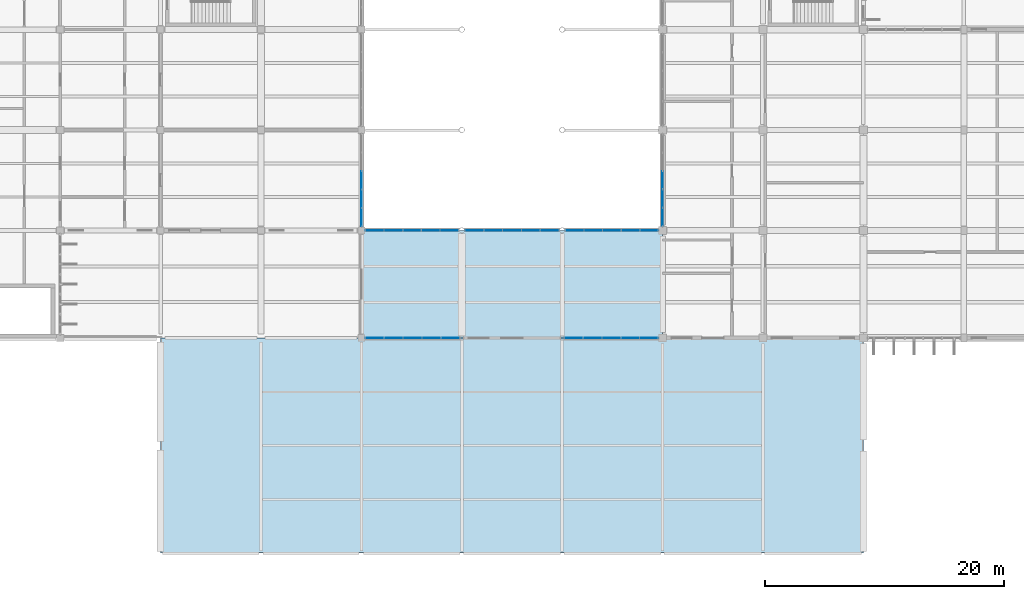
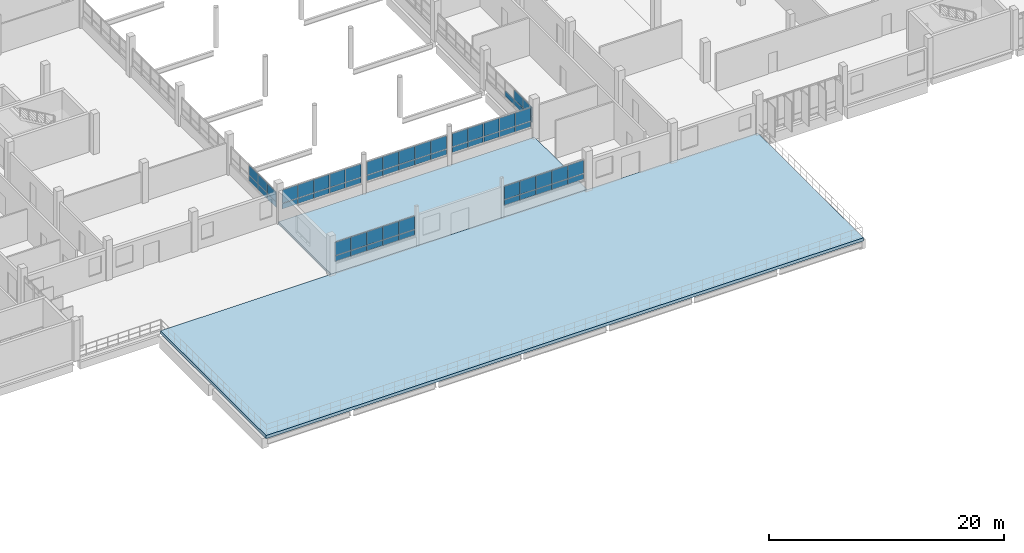
# One storey, part 73 of 101: 61 plates, 2 slabs, 7 elements without a shape of their own.
"""IFC4 building model written with IfcOpenShell, lengths in metres."""

from ifc_helpers import new_model, si_unit, direction, frame, origin, origin_2d, place, context, subcontext, project, spatial, polyline, rectangle, outline, extrude, material, layer, layer_set, type_object, element, aggregate, save


model = new_model("IFC4")

# Units and contexts
model_context = context("Model", 3, precision=1e-05, world=origin(), true_north=direction((0.0, 1.0)))
body_context = subcontext(model_context, "Body", "Model", "MODEL_VIEW")
ifc_project = project(units=[si_unit("LENGTHUNIT", "METRE"), si_unit("AREAUNIT", "SQUARE_METRE"), si_unit("VOLUMEUNIT", "CUBIC_METRE"), si_unit("PLANEANGLEUNIT", "RADIAN"), si_unit("MASSUNIT", "GRAM", prefix="KILO")], contexts=[model_context])

# Site, building, storey
site_placement = place(None, origin())
site = spatial("IfcSite", under=ifc_project, at=site_placement, CompositionType="ELEMENT")
building_placement = place(site_placement, origin())
building = spatial("IfcBuilding", under=site, at=building_placement, Name="Vireocrest Preparatory School", CompositionType="ELEMENT")
storey_placement = place(building_placement, frame((0.0, 0.0, 4.800048828125)))
storey = spatial("IfcBuildingStorey", under=building, at=storey_placement, Name="L01", CompositionType="ELEMENT", Elevation=4.800048828125)

# Slabs
ifc_material_1 = material(Name="Concrete 40 MPa", Category="concrete")
ifc_layer_1 = layer(ifc_material_1, 0.280029296875)
ifc_layer_set_1 = layer_set([ifc_layer_1], Name="Concrete 40 MPa")
slab_type_1 = type_object("IfcSlabType", Name="Commons and Corridor Suspended RC Slab 280", PredefinedType="FLOOR", material=ifc_layer_set_1)
slab_1_placement = place(storey_placement, frame((0.0, 0.0, -0.280029296875)))
element("IfcSlab", 1, at=slab_1_placement, inside=storey, type_object=slab_type_1, Name="Slab L01_SOUTH_BRIDGE", PredefinedType="FLOOR", context=body_context, shape_type="SweptSolid", body=[
    extrude(outline(polyline([(67.199951171875, 18.0), (92.39990234375, 18.0), (92.39990234375, 27.0), (67.199951171875, 27.0), (67.199951171875, 18.0)])), origin(), (0.0, 0.0, 1.0), 0.280029296875),
])
ifc_layer_2 = layer(ifc_material_1, 0.320068359375)
ifc_layer_set_2 = layer_set([ifc_layer_2], Name="Concrete 40 MPa")
slab_type_2 = type_object("IfcSlabType", Name="Outdoor Play Deck and Terrace Structural Slab 320", PredefinedType="FLOOR", material=ifc_layer_set_2)
slab_2_placement = place(storey_placement, frame((0.0, 0.0, -0.320068359375)))
element("IfcSlab", 2, at=slab_2_placement, inside=storey, type_object=slab_type_2, Name="Slab L01_PLAY_DECK", PredefinedType="FLOOR", context=body_context, shape_type="SweptSolid", body=[
    extrude(outline(polyline([(50.39990234375, 0.0), (109.199951171875, 0.0), (109.199951171875, 18.0), (50.39990234375, 18.0), (50.39990234375, 0.0)])), origin(), (0.0, 0.0, 1.0), 0.320068359375),
])

# Curtain wall, plates
ifc_material_2 = material(Name="Thermally broken aluminium EN AW-6063-T6", Category="aluminium")
ifc_layer_3 = layer(ifc_material_2, 0.179931640625)
ifc_layer_set_3 = layer_set([ifc_layer_3], Name="Thermally broken aluminium EN AW-6063-T6")
curtain_wall_type_1 = type_object("IfcCurtainWallType", Name="Court Banded Curtain Wall 8400x3600", PredefinedType="USERDEFINED", material=ifc_layer_set_3)
curtain_wall_1_placement = place(storey_placement, origin())
curtain_wall_1 = element("IfcCurtainWall", 3, at=curtain_wall_1_placement, inside=storey, type_object=curtain_wall_type_1, Name="Curtain Wall CW01 CW_L01_CW01_0675_0180_059", ObjectType="CURTAIN WALL", PredefinedType="USERDEFINED")
ifc_material_3 = material(Name="Insulated triple low-e tempered safety glass", Category="glass")
ifc_layer_4 = layer(ifc_material_3, 0.06005859375)
ifc_layer_set_4 = layer_set([ifc_layer_4], Name="Insulated triple low-e tempered safety glass")
plate_type = type_object("IfcPlateType", Name="Triple-Glazed Vision Curtain Panel 60", PredefinedType="CURTAIN_PANEL", material=ifc_layer_set_4)
plate_1_placement = place(storey_placement, frame((68.32275390625, 18.0, 1.2275390625), z_axis=(0.0, 0.0, 1.0), x_axis=(1.0, 0.0, 0.0)))
plate_1 = element("IfcPlate", 4, at=plate_1_placement, type_object=plate_type, Name="CW Panel GL1 CW_L01_CW01_0675_0180_059-1-1", PredefinedType="CURTAIN_PANEL", context=body_context, shape_type="SweptSolid", body=[
    extrude(rectangle(XDim=1.510498046875, YDim=0.06005859375, at=origin_2d()), origin(), (0.0, 0.0, 1.0), 0.5400390625),
])
plate_2_placement = place(storey_placement, frame((68.32275390625, 18.0, 1.83251953125), z_axis=(0.0, 0.0, 1.0), x_axis=(1.0, 0.0, 0.0)))
plate_2 = element("IfcPlate", 5, at=plate_2_placement, type_object=plate_type, Name="CW Panel GL1 CW_L01_CW01_0675_0180_059-1-2", PredefinedType="CURTAIN_PANEL", context=body_context, shape_type="SweptSolid", body=[
    extrude(rectangle(XDim=1.510498046875, YDim=0.06005859375, at=origin_2d()), origin(), (0.0, 0.0, 1.0), 1.35595703125),
])
plate_3_placement = place(storey_placement, frame((69.898193359375, 18.0, 1.2275390625), z_axis=(0.0, 0.0, 1.0), x_axis=(1.0, 0.0, 0.0)))
plate_3 = element("IfcPlate", 6, at=plate_3_placement, type_object=plate_type, Name="CW Panel GL1 CW_L01_CW01_0675_0180_059-2-1", PredefinedType="CURTAIN_PANEL", context=body_context, shape_type="SweptSolid", body=[
    extrude(rectangle(XDim=1.510498046875, YDim=0.06005859375, at=origin_2d()), origin(), (0.0, 0.0, 1.0), 0.5400390625),
])
plate_4_placement = place(storey_placement, frame((69.898193359375, 18.0, 1.83251953125), z_axis=(0.0, 0.0, 1.0), x_axis=(1.0, 0.0, 0.0)))
plate_4 = element("IfcPlate", 7, at=plate_4_placement, type_object=plate_type, Name="CW Panel GL1 CW_L01_CW01_0675_0180_059-2-2", PredefinedType="CURTAIN_PANEL", context=body_context, shape_type="SweptSolid", body=[
    extrude(rectangle(XDim=1.510498046875, YDim=0.06005859375, at=origin_2d()), origin(), (0.0, 0.0, 1.0), 1.35595703125),
])
plate_5_placement = place(storey_placement, frame((71.473876953125, 18.0, 1.2275390625), z_axis=(0.0, 0.0, 1.0), x_axis=(1.0, 0.0, 0.0)))
plate_5 = element("IfcPlate", 8, at=plate_5_placement, type_object=plate_type, Name="CW Panel GL1 CW_L01_CW01_0675_0180_059-3-1", PredefinedType="CURTAIN_PANEL", context=body_context, shape_type="SweptSolid", body=[
    extrude(rectangle(XDim=1.510498046875, YDim=0.06005859375, at=origin_2d()), origin(), (0.0, 0.0, 1.0), 0.5400390625),
])
plate_6_placement = place(storey_placement, frame((71.473876953125, 18.0, 1.83251953125), z_axis=(0.0, 0.0, 1.0), x_axis=(1.0, 0.0, 0.0)))
plate_6 = element("IfcPlate", 9, at=plate_6_placement, type_object=plate_type, Name="CW Panel GL1 CW_L01_CW01_0675_0180_059-3-2", PredefinedType="CURTAIN_PANEL", context=body_context, shape_type="SweptSolid", body=[
    extrude(rectangle(XDim=1.510498046875, YDim=0.06005859375, at=origin_2d()), origin(), (0.0, 0.0, 1.0), 1.35595703125),
])
plate_7_placement = place(storey_placement, frame((73.04931640625, 18.0, 1.2275390625), z_axis=(0.0, 0.0, 1.0), x_axis=(1.0, 0.0, 0.0)))
plate_7 = element("IfcPlate", 10, at=plate_7_placement, type_object=plate_type, Name="CW Panel GL1 CW_L01_CW01_0675_0180_059-4-1", PredefinedType="CURTAIN_PANEL", context=body_context, shape_type="SweptSolid", body=[
    extrude(rectangle(XDim=1.510498046875, YDim=0.06005859375, at=origin_2d()), origin(), (0.0, 0.0, 1.0), 0.5400390625),
])
plate_8_placement = place(storey_placement, frame((73.04931640625, 18.0, 1.83251953125), z_axis=(0.0, 0.0, 1.0), x_axis=(1.0, 0.0, 0.0)))
plate_8 = element("IfcPlate", 11, at=plate_8_placement, type_object=plate_type, Name="CW Panel GL1 CW_L01_CW01_0675_0180_059-4-2", PredefinedType="CURTAIN_PANEL", context=body_context, shape_type="SweptSolid", body=[
    extrude(rectangle(XDim=1.510498046875, YDim=0.06005859375, at=origin_2d()), origin(), (0.0, 0.0, 1.0), 1.35595703125),
])
plate_9_placement = place(storey_placement, frame((74.624755859375, 18.0, 1.2275390625), z_axis=(0.0, 0.0, 1.0), x_axis=(1.0, 0.0, 0.0)))
plate_9 = element("IfcPlate", 12, at=plate_9_placement, type_object=plate_type, Name="CW Panel GL1 CW_L01_CW01_0675_0180_059-5-1", PredefinedType="CURTAIN_PANEL", context=body_context, shape_type="SweptSolid", body=[
    extrude(rectangle(XDim=1.510498046875, YDim=0.06005859375, at=origin_2d()), origin(), (0.0, 0.0, 1.0), 0.5400390625),
])
plate_10_placement = place(storey_placement, frame((74.624755859375, 18.0, 1.83251953125), z_axis=(0.0, 0.0, 1.0), x_axis=(1.0, 0.0, 0.0)))
plate_10 = element("IfcPlate", 13, at=plate_10_placement, type_object=plate_type, Name="CW Panel GL1 CW_L01_CW01_0675_0180_059-5-2", PredefinedType="CURTAIN_PANEL", context=body_context, shape_type="SweptSolid", body=[
    extrude(rectangle(XDim=1.510498046875, YDim=0.06005859375, at=origin_2d()), origin(), (0.0, 0.0, 1.0), 1.35595703125),
])
aggregate(curtain_wall_1, [plate_1, plate_2, plate_3, plate_4, plate_5, plate_6, plate_7, plate_8, plate_9, plate_10])

curtain_wall_2_placement = place(storey_placement, origin())
curtain_wall_2 = element("IfcCurtainWall", 14, at=curtain_wall_2_placement, inside=storey, type_object=curtain_wall_type_1, Name="Curtain Wall CW01 CW_L01_CW01_0841_0180_059", ObjectType="CURTAIN WALL", PredefinedType="USERDEFINED")
plate_11_placement = place(storey_placement, frame((84.97265625, 18.0, 1.2275390625), z_axis=(0.0, 0.0, 1.0), x_axis=(1.0, 0.0, 0.0)))
plate_11 = element("IfcPlate", 15, at=plate_11_placement, type_object=plate_type, Name="CW Panel GL1 CW_L01_CW01_0841_0180_059-1-1", PredefinedType="CURTAIN_PANEL", context=body_context, shape_type="SweptSolid", body=[
    extrude(rectangle(XDim=1.505615234375, YDim=0.06005859375, at=origin_2d()), origin(), (0.0, 0.0, 1.0), 0.5400390625),
])
plate_12_placement = place(storey_placement, frame((84.97265625, 18.0, 1.83251953125), z_axis=(0.0, 0.0, 1.0), x_axis=(1.0, 0.0, 0.0)))
plate_12 = element("IfcPlate", 16, at=plate_12_placement, type_object=plate_type, Name="CW Panel GL1 CW_L01_CW01_0841_0180_059-1-2", PredefinedType="CURTAIN_PANEL", context=body_context, shape_type="SweptSolid", body=[
    extrude(rectangle(XDim=1.505615234375, YDim=0.06005859375, at=origin_2d()), origin(), (0.0, 0.0, 1.0), 1.35595703125),
])
plate_13_placement = place(storey_placement, frame((86.543212890625, 18.0, 1.2275390625), z_axis=(0.0, 0.0, 1.0), x_axis=(1.0, 0.0, 0.0)))
plate_13 = element("IfcPlate", 17, at=plate_13_placement, type_object=plate_type, Name="CW Panel GL1 CW_L01_CW01_0841_0180_059-2-1", PredefinedType="CURTAIN_PANEL", context=body_context, shape_type="SweptSolid", body=[
    extrude(rectangle(XDim=1.505615234375, YDim=0.06005859375, at=origin_2d()), origin(), (0.0, 0.0, 1.0), 0.5400390625),
])
plate_14_placement = place(storey_placement, frame((86.543212890625, 18.0, 1.83251953125), z_axis=(0.0, 0.0, 1.0), x_axis=(1.0, 0.0, 0.0)))
plate_14 = element("IfcPlate", 18, at=plate_14_placement, type_object=plate_type, Name="CW Panel GL1 CW_L01_CW01_0841_0180_059-2-2", PredefinedType="CURTAIN_PANEL", context=body_context, shape_type="SweptSolid", body=[
    extrude(rectangle(XDim=1.505615234375, YDim=0.06005859375, at=origin_2d()), origin(), (0.0, 0.0, 1.0), 1.35595703125),
])
plate_15_placement = place(storey_placement, frame((88.11376953125, 18.0, 1.2275390625), z_axis=(0.0, 0.0, 1.0), x_axis=(1.0, 0.0, 0.0)))
plate_15 = element("IfcPlate", 19, at=plate_15_placement, type_object=plate_type, Name="CW Panel GL1 CW_L01_CW01_0841_0180_059-3-1", PredefinedType="CURTAIN_PANEL", context=body_context, shape_type="SweptSolid", body=[
    extrude(rectangle(XDim=1.505615234375, YDim=0.06005859375, at=origin_2d()), origin(), (0.0, 0.0, 1.0), 0.5400390625),
])
plate_16_placement = place(storey_placement, frame((88.11376953125, 18.0, 1.83251953125), z_axis=(0.0, 0.0, 1.0), x_axis=(1.0, 0.0, 0.0)))
plate_16 = element("IfcPlate", 20, at=plate_16_placement, type_object=plate_type, Name="CW Panel GL1 CW_L01_CW01_0841_0180_059-3-2", PredefinedType="CURTAIN_PANEL", context=body_context, shape_type="SweptSolid", body=[
    extrude(rectangle(XDim=1.505615234375, YDim=0.06005859375, at=origin_2d()), origin(), (0.0, 0.0, 1.0), 1.35595703125),
])
plate_17_placement = place(storey_placement, frame((89.68408203125, 18.0, 1.2275390625), z_axis=(0.0, 0.0, 1.0), x_axis=(1.0, 0.0, 0.0)))
plate_17 = element("IfcPlate", 21, at=plate_17_placement, type_object=plate_type, Name="CW Panel GL1 CW_L01_CW01_0841_0180_059-4-1", PredefinedType="CURTAIN_PANEL", context=body_context, shape_type="SweptSolid", body=[
    extrude(rectangle(XDim=1.505615234375, YDim=0.06005859375, at=origin_2d()), origin(), (0.0, 0.0, 1.0), 0.5400390625),
])
plate_18_placement = place(storey_placement, frame((89.68408203125, 18.0, 1.83251953125), z_axis=(0.0, 0.0, 1.0), x_axis=(1.0, 0.0, 0.0)))
plate_18 = element("IfcPlate", 22, at=plate_18_placement, type_object=plate_type, Name="CW Panel GL1 CW_L01_CW01_0841_0180_059-4-2", PredefinedType="CURTAIN_PANEL", context=body_context, shape_type="SweptSolid", body=[
    extrude(rectangle(XDim=1.505615234375, YDim=0.06005859375, at=origin_2d()), origin(), (0.0, 0.0, 1.0), 1.35595703125),
])
plate_19_placement = place(storey_placement, frame((91.2548828125, 18.0, 1.2275390625), z_axis=(0.0, 0.0, 1.0), x_axis=(1.0, 0.0, 0.0)))
plate_19 = element("IfcPlate", 23, at=plate_19_placement, type_object=plate_type, Name="CW Panel GL1 CW_L01_CW01_0841_0180_059-5-1", PredefinedType="CURTAIN_PANEL", context=body_context, shape_type="SweptSolid", body=[
    extrude(rectangle(XDim=1.505615234375, YDim=0.06005859375, at=origin_2d()), origin(), (0.0, 0.0, 1.0), 0.5400390625),
])
plate_20_placement = place(storey_placement, frame((91.2548828125, 18.0, 1.83251953125), z_axis=(0.0, 0.0, 1.0), x_axis=(1.0, 0.0, 0.0)))
plate_20 = element("IfcPlate", 24, at=plate_20_placement, type_object=plate_type, Name="CW Panel GL1 CW_L01_CW01_0841_0180_059-5-2", PredefinedType="CURTAIN_PANEL", context=body_context, shape_type="SweptSolid", body=[
    extrude(rectangle(XDim=1.505615234375, YDim=0.06005859375, at=origin_2d()), origin(), (0.0, 0.0, 1.0), 1.35595703125),
])
aggregate(curtain_wall_2, [plate_11, plate_12, plate_13, plate_14, plate_15, plate_16, plate_17, plate_18, plate_19, plate_20])

ifc_layer_5 = layer(ifc_material_2, 0.179931640625)
ifc_layer_set_5 = layer_set([ifc_layer_5], Name="Thermally broken aluminium EN AW-6063-T6")
curtain_wall_type_2 = type_object("IfcCurtainWallType", Name="Court Banded Curtain Wall 8400x3000", PredefinedType="USERDEFINED", material=ifc_layer_set_5)
curtain_wall_3_placement = place(storey_placement, origin())
curtain_wall_3 = element("IfcCurtainWall", 25, at=curtain_wall_3_placement, inside=storey, type_object=curtain_wall_type_2, Name="Curtain Wall CW02 CW_L01_CW02_0672_0273_060", ObjectType="CURTAIN WALL", PredefinedType="USERDEFINED")
plate_21_placement = place(storey_placement, frame((67.199951171875, 28.10791015625, 1.27734375), z_axis=(0.0, 0.0, 1.0), x_axis=(0.0, 1.0, 0.0)))
plate_21 = element("IfcPlate", 26, at=plate_21_placement, type_object=plate_type, Name="CW Panel GL1 CW_L01_CW02_0672_0273_060-1-1", PredefinedType="CURTAIN_PANEL", context=body_context, shape_type="SweptSolid", body=[
    extrude(rectangle(XDim=1.48095703125, YDim=0.06005859375, at=origin_2d()), origin(), (0.0, 0.0, 1.0), 0.5400390625),
])
plate_22_placement = place(storey_placement, frame((67.199951171875, 28.10791015625, 1.88232421875), z_axis=(0.0, 0.0, 1.0), x_axis=(0.0, 1.0, 0.0)))
plate_22 = element("IfcPlate", 27, at=plate_22_placement, type_object=plate_type, Name="CW Panel GL1 CW_L01_CW02_0672_0273_060-1-2", PredefinedType="CURTAIN_PANEL", context=body_context, shape_type="SweptSolid", body=[
    extrude(rectangle(XDim=1.48095703125, YDim=0.06005859375, at=origin_2d()), origin(), (0.0, 0.0, 1.0), 0.989990234375),
])
plate_23_placement = place(storey_placement, frame((67.199951171875, 29.654052734375, 1.27734375), z_axis=(0.0, 0.0, 1.0), x_axis=(0.0, 1.0, 0.0)))
plate_23 = element("IfcPlate", 28, at=plate_23_placement, type_object=plate_type, Name="CW Panel GL1 CW_L01_CW02_0672_0273_060-2-1", PredefinedType="CURTAIN_PANEL", context=body_context, shape_type="SweptSolid", body=[
    extrude(rectangle(XDim=1.48095703125, YDim=0.06005859375, at=origin_2d()), origin(), (0.0, 0.0, 1.0), 0.5400390625),
])
plate_24_placement = place(storey_placement, frame((67.199951171875, 29.654052734375, 1.88232421875), z_axis=(0.0, 0.0, 1.0), x_axis=(0.0, 1.0, 0.0)))
plate_24 = element("IfcPlate", 29, at=plate_24_placement, type_object=plate_type, Name="CW Panel GL1 CW_L01_CW02_0672_0273_060-2-2", PredefinedType="CURTAIN_PANEL", context=body_context, shape_type="SweptSolid", body=[
    extrude(rectangle(XDim=1.48095703125, YDim=0.06005859375, at=origin_2d()), origin(), (0.0, 0.0, 1.0), 0.989990234375),
])
plate_25_placement = place(storey_placement, frame((67.199951171875, 31.199951171875, 1.27734375), z_axis=(0.0, 0.0, 1.0), x_axis=(0.0, 1.0, 0.0)))
plate_25 = element("IfcPlate", 30, at=plate_25_placement, type_object=plate_type, Name="CW Panel GL1 CW_L01_CW02_0672_0273_060-3-1", PredefinedType="CURTAIN_PANEL", context=body_context, shape_type="SweptSolid", body=[
    extrude(rectangle(XDim=1.48095703125, YDim=0.06005859375, at=origin_2d()), origin(), (0.0, 0.0, 1.0), 0.5400390625),
])
plate_26_placement = place(storey_placement, frame((67.199951171875, 31.199951171875, 1.88232421875), z_axis=(0.0, 0.0, 1.0), x_axis=(0.0, 1.0, 0.0)))
plate_26 = element("IfcPlate", 31, at=plate_26_placement, type_object=plate_type, Name="CW Panel GL1 CW_L01_CW02_0672_0273_060-3-2", PredefinedType="CURTAIN_PANEL", context=body_context, shape_type="SweptSolid", body=[
    extrude(rectangle(XDim=1.48095703125, YDim=0.06005859375, at=origin_2d()), origin(), (0.0, 0.0, 1.0), 0.989990234375),
])
aggregate(curtain_wall_3, [plate_21, plate_22, plate_23, plate_24, plate_25, plate_26])

curtain_wall_4_placement = place(storey_placement, origin())
curtain_wall_4 = element("IfcCurtainWall", 32, at=curtain_wall_4_placement, inside=storey, type_object=curtain_wall_type_2, Name="Curtain Wall CW02 CW_L01_CW02_0924_0273_060", ObjectType="CURTAIN WALL", PredefinedType="USERDEFINED")
plate_27_placement = place(storey_placement, frame((92.39990234375, 28.1279296875, 1.27734375), z_axis=(0.0, 0.0, 1.0), x_axis=(0.0, 1.0, 0.0)))
plate_27 = element("IfcPlate", 33, at=plate_27_placement, type_object=plate_type, Name="CW Panel GL1 CW_L01_CW02_0924_0273_060-1-1", PredefinedType="CURTAIN_PANEL", context=body_context, shape_type="SweptSolid", body=[
    extrude(rectangle(XDim=1.470947265625, YDim=0.06005859375, at=origin_2d()), origin(), (0.0, 0.0, 1.0), 0.5400390625),
])
plate_28_placement = place(storey_placement, frame((92.39990234375, 28.1279296875, 1.882568359375), z_axis=(0.0, 0.0, 1.0), x_axis=(0.0, 1.0, 0.0)))
plate_28 = element("IfcPlate", 34, at=plate_28_placement, type_object=plate_type, Name="CW Panel GL1 CW_L01_CW02_0924_0273_060-1-2", PredefinedType="CURTAIN_PANEL", context=body_context, shape_type="SweptSolid", body=[
    extrude(rectangle(XDim=1.470947265625, YDim=0.06005859375, at=origin_2d()), origin(), (0.0, 0.0, 1.0), 0.9599609375),
])
plate_29_placement = place(storey_placement, frame((92.39990234375, 29.6640625, 1.27734375), z_axis=(0.0, 0.0, 1.0), x_axis=(0.0, 1.0, 0.0)))
plate_29 = element("IfcPlate", 35, at=plate_29_placement, type_object=plate_type, Name="CW Panel GL1 CW_L01_CW02_0924_0273_060-2-1", PredefinedType="CURTAIN_PANEL", context=body_context, shape_type="SweptSolid", body=[
    extrude(rectangle(XDim=1.470947265625, YDim=0.06005859375, at=origin_2d()), origin(), (0.0, 0.0, 1.0), 0.5400390625),
])
plate_30_placement = place(storey_placement, frame((92.39990234375, 29.6640625, 1.882568359375), z_axis=(0.0, 0.0, 1.0), x_axis=(0.0, 1.0, 0.0)))
plate_30 = element("IfcPlate", 36, at=plate_30_placement, type_object=plate_type, Name="CW Panel GL1 CW_L01_CW02_0924_0273_060-2-2", PredefinedType="CURTAIN_PANEL", context=body_context, shape_type="SweptSolid", body=[
    extrude(rectangle(XDim=1.470947265625, YDim=0.06005859375, at=origin_2d()), origin(), (0.0, 0.0, 1.0), 0.9599609375),
])
plate_31_placement = place(storey_placement, frame((92.39990234375, 31.199951171875, 1.27734375), z_axis=(0.0, 0.0, 1.0), x_axis=(0.0, 1.0, 0.0)))
plate_31 = element("IfcPlate", 37, at=plate_31_placement, type_object=plate_type, Name="CW Panel GL1 CW_L01_CW02_0924_0273_060-3-1", PredefinedType="CURTAIN_PANEL", context=body_context, shape_type="SweptSolid", body=[
    extrude(rectangle(XDim=1.470947265625, YDim=0.06005859375, at=origin_2d()), origin(), (0.0, 0.0, 1.0), 0.5400390625),
])
aggregate(curtain_wall_4, [plate_27, plate_28, plate_29, plate_30, plate_31])

ifc_layer_6 = layer(ifc_material_2, 0.179931640625)
ifc_layer_set_6 = layer_set([ifc_layer_6], Name="Thermally broken aluminium EN AW-6063-T6")
curtain_wall_type_3 = type_object("IfcCurtainWallType", Name="Bridge Link Glazing Wall 9000x3600", PredefinedType="USERDEFINED", material=ifc_layer_set_6)
curtain_wall_5_placement = place(storey_placement, origin())
curtain_wall_5 = element("IfcCurtainWall", 38, at=curtain_wall_5_placement, inside=storey, type_object=curtain_wall_type_3, Name="Curtain Wall CW12 CW_L01_CW12_0675_0270_059", ObjectType="CURTAIN WALL", PredefinedType="USERDEFINED")
plate_32_placement = place(storey_placement, frame((68.315185546875, 27.0, 1.2275390625), z_axis=(0.0, 0.0, 1.0), x_axis=(1.0, 0.0, 0.0)))
plate_32 = element("IfcPlate", 39, at=plate_32_placement, type_object=plate_type, Name="CW Panel GL1 CW_L01_CW12_0675_0270_059-1-1", PredefinedType="CURTAIN_PANEL", context=body_context, shape_type="SweptSolid", body=[
    extrude(rectangle(XDim=1.495361328125, YDim=0.06005859375, at=origin_2d()), origin(), (0.0, 0.0, 1.0), 0.5400390625),
])
plate_33_placement = place(storey_placement, frame((68.315185546875, 27.0, 1.83251953125), z_axis=(0.0, 0.0, 1.0), x_axis=(1.0, 0.0, 0.0)))
plate_33 = element("IfcPlate", 40, at=plate_33_placement, type_object=plate_type, Name="CW Panel GL1 CW_L01_CW12_0675_0270_059-1-2", PredefinedType="CURTAIN_PANEL", context=body_context, shape_type="SweptSolid", body=[
    extrude(rectangle(XDim=1.495361328125, YDim=0.06005859375, at=origin_2d()), origin(), (0.0, 0.0, 1.0), 1.35595703125),
])
plate_34_placement = place(storey_placement, frame((69.87548828125, 27.0, 1.2275390625), z_axis=(0.0, 0.0, 1.0), x_axis=(1.0, 0.0, 0.0)))
plate_34 = element("IfcPlate", 41, at=plate_34_placement, type_object=plate_type, Name="CW Panel GL1 CW_L01_CW12_0675_0270_059-2-1", PredefinedType="CURTAIN_PANEL", context=body_context, shape_type="SweptSolid", body=[
    extrude(rectangle(XDim=1.495361328125, YDim=0.06005859375, at=origin_2d()), origin(), (0.0, 0.0, 1.0), 0.5400390625),
])
plate_35_placement = place(storey_placement, frame((69.87548828125, 27.0, 1.83251953125), z_axis=(0.0, 0.0, 1.0), x_axis=(1.0, 0.0, 0.0)))
plate_35 = element("IfcPlate", 42, at=plate_35_placement, type_object=plate_type, Name="CW Panel GL1 CW_L01_CW12_0675_0270_059-2-2", PredefinedType="CURTAIN_PANEL", context=body_context, shape_type="SweptSolid", body=[
    extrude(rectangle(XDim=1.495361328125, YDim=0.06005859375, at=origin_2d()), origin(), (0.0, 0.0, 1.0), 1.35595703125),
])
plate_36_placement = place(storey_placement, frame((71.435791015625, 27.0, 1.2275390625), z_axis=(0.0, 0.0, 1.0), x_axis=(1.0, 0.0, 0.0)))
plate_36 = element("IfcPlate", 43, at=plate_36_placement, type_object=plate_type, Name="CW Panel GL1 CW_L01_CW12_0675_0270_059-3-1", PredefinedType="CURTAIN_PANEL", context=body_context, shape_type="SweptSolid", body=[
    extrude(rectangle(XDim=1.4951171875, YDim=0.06005859375, at=origin_2d()), origin(), (0.0, 0.0, 1.0), 0.5400390625),
])
plate_37_placement = place(storey_placement, frame((71.435791015625, 27.0, 1.83251953125), z_axis=(0.0, 0.0, 1.0), x_axis=(1.0, 0.0, 0.0)))
plate_37 = element("IfcPlate", 44, at=plate_37_placement, type_object=plate_type, Name="CW Panel GL1 CW_L01_CW12_0675_0270_059-3-2", PredefinedType="CURTAIN_PANEL", context=body_context, shape_type="SweptSolid", body=[
    extrude(rectangle(XDim=1.4951171875, YDim=0.06005859375, at=origin_2d()), origin(), (0.0, 0.0, 1.0), 1.35595703125),
])
plate_38_placement = place(storey_placement, frame((72.995849609375, 27.0, 1.2275390625), z_axis=(0.0, 0.0, 1.0), x_axis=(1.0, 0.0, 0.0)))
plate_38 = element("IfcPlate", 45, at=plate_38_placement, type_object=plate_type, Name="CW Panel GL1 CW_L01_CW12_0675_0270_059-4-1", PredefinedType="CURTAIN_PANEL", context=body_context, shape_type="SweptSolid", body=[
    extrude(rectangle(XDim=1.495361328125, YDim=0.06005859375, at=origin_2d()), origin(), (0.0, 0.0, 1.0), 0.5400390625),
])
plate_39_placement = place(storey_placement, frame((72.995849609375, 27.0, 1.83251953125), z_axis=(0.0, 0.0, 1.0), x_axis=(1.0, 0.0, 0.0)))
plate_39 = element("IfcPlate", 46, at=plate_39_placement, type_object=plate_type, Name="CW Panel GL1 CW_L01_CW12_0675_0270_059-4-2", PredefinedType="CURTAIN_PANEL", context=body_context, shape_type="SweptSolid", body=[
    extrude(rectangle(XDim=1.495361328125, YDim=0.06005859375, at=origin_2d()), origin(), (0.0, 0.0, 1.0), 1.35595703125),
])
plate_40_placement = place(storey_placement, frame((74.55615234375, 27.0, 1.2275390625), z_axis=(0.0, 0.0, 1.0), x_axis=(1.0, 0.0, 0.0)))
plate_40 = element("IfcPlate", 47, at=plate_40_placement, type_object=plate_type, Name="CW Panel GL1 CW_L01_CW12_0675_0270_059-5-1", PredefinedType="CURTAIN_PANEL", context=body_context, shape_type="SweptSolid", body=[
    extrude(rectangle(XDim=1.495361328125, YDim=0.06005859375, at=origin_2d()), origin(), (0.0, 0.0, 1.0), 0.5400390625),
])
plate_41_placement = place(storey_placement, frame((74.55615234375, 27.0, 1.83251953125), z_axis=(0.0, 0.0, 1.0), x_axis=(1.0, 0.0, 0.0)))
plate_41 = element("IfcPlate", 48, at=plate_41_placement, type_object=plate_type, Name="CW Panel GL1 CW_L01_CW12_0675_0270_059-5-2", PredefinedType="CURTAIN_PANEL", context=body_context, shape_type="SweptSolid", body=[
    extrude(rectangle(XDim=1.495361328125, YDim=0.06005859375, at=origin_2d()), origin(), (0.0, 0.0, 1.0), 1.35595703125),
])
aggregate(curtain_wall_5, [plate_32, plate_33, plate_34, plate_35, plate_36, plate_37, plate_38, plate_39, plate_40, plate_41])

curtain_wall_6_placement = place(storey_placement, origin())
curtain_wall_6 = element("IfcCurtainWall", 49, at=curtain_wall_6_placement, inside=storey, type_object=curtain_wall_type_3, Name="Curtain Wall CW12 CW_L01_CW12_0758_0270_059", ObjectType="CURTAIN WALL", PredefinedType="USERDEFINED")
plate_42_placement = place(storey_placement, frame((76.65087890625, 27.0, 1.2275390625), z_axis=(0.0, 0.0, 1.0), x_axis=(1.0, 0.0, 0.0)))
plate_42 = element("IfcPlate", 50, at=plate_42_placement, type_object=plate_type, Name="CW Panel GL1 CW_L01_CW12_0758_0270_059-1-1", PredefinedType="CURTAIN_PANEL", context=body_context, shape_type="SweptSolid", body=[
    extrude(rectangle(XDim=1.509521484375, YDim=0.06005859375, at=origin_2d()), origin(), (0.0, 0.0, 1.0), 0.5400390625),
])
plate_43_placement = place(storey_placement, frame((76.65087890625, 27.0, 1.83251953125), z_axis=(0.0, 0.0, 1.0), x_axis=(1.0, 0.0, 0.0)))
plate_43 = element("IfcPlate", 51, at=plate_43_placement, type_object=plate_type, Name="CW Panel GL1 CW_L01_CW12_0758_0270_059-1-2", PredefinedType="CURTAIN_PANEL", context=body_context, shape_type="SweptSolid", body=[
    extrude(rectangle(XDim=1.509521484375, YDim=0.06005859375, at=origin_2d()), origin(), (0.0, 0.0, 1.0), 1.35595703125),
])
plate_44_placement = place(storey_placement, frame((78.2255859375, 27.0, 1.2275390625), z_axis=(0.0, 0.0, 1.0), x_axis=(1.0, 0.0, 0.0)))
plate_44 = element("IfcPlate", 52, at=plate_44_placement, type_object=plate_type, Name="CW Panel GL1 CW_L01_CW12_0758_0270_059-2-1", PredefinedType="CURTAIN_PANEL", context=body_context, shape_type="SweptSolid", body=[
    extrude(rectangle(XDim=1.509521484375, YDim=0.06005859375, at=origin_2d()), origin(), (0.0, 0.0, 1.0), 0.5400390625),
])
plate_45_placement = place(storey_placement, frame((78.2255859375, 27.0, 1.83251953125), z_axis=(0.0, 0.0, 1.0), x_axis=(1.0, 0.0, 0.0)))
plate_45 = element("IfcPlate", 53, at=plate_45_placement, type_object=plate_type, Name="CW Panel GL1 CW_L01_CW12_0758_0270_059-2-2", PredefinedType="CURTAIN_PANEL", context=body_context, shape_type="SweptSolid", body=[
    extrude(rectangle(XDim=1.509521484375, YDim=0.06005859375, at=origin_2d()), origin(), (0.0, 0.0, 1.0), 1.35595703125),
])
plate_46_placement = place(storey_placement, frame((79.800048828125, 27.0, 1.2275390625), z_axis=(0.0, 0.0, 1.0), x_axis=(1.0, 0.0, 0.0)))
plate_46 = element("IfcPlate", 54, at=plate_46_placement, type_object=plate_type, Name="CW Panel GL1 CW_L01_CW12_0758_0270_059-3-1", PredefinedType="CURTAIN_PANEL", context=body_context, shape_type="SweptSolid", body=[
    extrude(rectangle(XDim=1.509521484375, YDim=0.06005859375, at=origin_2d()), origin(), (0.0, 0.0, 1.0), 0.5400390625),
])
plate_47_placement = place(storey_placement, frame((79.800048828125, 27.0, 1.83251953125), z_axis=(0.0, 0.0, 1.0), x_axis=(1.0, 0.0, 0.0)))
plate_47 = element("IfcPlate", 55, at=plate_47_placement, type_object=plate_type, Name="CW Panel GL1 CW_L01_CW12_0758_0270_059-3-2", PredefinedType="CURTAIN_PANEL", context=body_context, shape_type="SweptSolid", body=[
    extrude(rectangle(XDim=1.509521484375, YDim=0.06005859375, at=origin_2d()), origin(), (0.0, 0.0, 1.0), 1.35595703125),
])
plate_48_placement = place(storey_placement, frame((81.37451171875, 27.0, 1.2275390625), z_axis=(0.0, 0.0, 1.0), x_axis=(1.0, 0.0, 0.0)))
plate_48 = element("IfcPlate", 56, at=plate_48_placement, type_object=plate_type, Name="CW Panel GL1 CW_L01_CW12_0758_0270_059-4-1", PredefinedType="CURTAIN_PANEL", context=body_context, shape_type="SweptSolid", body=[
    extrude(rectangle(XDim=1.509521484375, YDim=0.06005859375, at=origin_2d()), origin(), (0.0, 0.0, 1.0), 0.5400390625),
])
plate_49_placement = place(storey_placement, frame((81.37451171875, 27.0, 1.83251953125), z_axis=(0.0, 0.0, 1.0), x_axis=(1.0, 0.0, 0.0)))
plate_49 = element("IfcPlate", 57, at=plate_49_placement, type_object=plate_type, Name="CW Panel GL1 CW_L01_CW12_0758_0270_059-4-2", PredefinedType="CURTAIN_PANEL", context=body_context, shape_type="SweptSolid", body=[
    extrude(rectangle(XDim=1.509521484375, YDim=0.06005859375, at=origin_2d()), origin(), (0.0, 0.0, 1.0), 1.35595703125),
])
plate_50_placement = place(storey_placement, frame((82.94921875, 27.0, 1.2275390625), z_axis=(0.0, 0.0, 1.0), x_axis=(1.0, 0.0, 0.0)))
plate_50 = element("IfcPlate", 58, at=plate_50_placement, type_object=plate_type, Name="CW Panel GL1 CW_L01_CW12_0758_0270_059-5-1", PredefinedType="CURTAIN_PANEL", context=body_context, shape_type="SweptSolid", body=[
    extrude(rectangle(XDim=1.509521484375, YDim=0.06005859375, at=origin_2d()), origin(), (0.0, 0.0, 1.0), 0.5400390625),
])
plate_51_placement = place(storey_placement, frame((82.94921875, 27.0, 1.83251953125), z_axis=(0.0, 0.0, 1.0), x_axis=(1.0, 0.0, 0.0)))
plate_51 = element("IfcPlate", 59, at=plate_51_placement, type_object=plate_type, Name="CW Panel GL1 CW_L01_CW12_0758_0270_059-5-2", PredefinedType="CURTAIN_PANEL", context=body_context, shape_type="SweptSolid", body=[
    extrude(rectangle(XDim=1.509521484375, YDim=0.06005859375, at=origin_2d()), origin(), (0.0, 0.0, 1.0), 1.35595703125),
])
aggregate(curtain_wall_6, [plate_42, plate_43, plate_44, plate_45, plate_46, plate_47, plate_48, plate_49, plate_50, plate_51])

curtain_wall_7_placement = place(storey_placement, origin())
curtain_wall_7 = element("IfcCurtainWall", 60, at=curtain_wall_7_placement, inside=storey, type_object=curtain_wall_type_3, Name="Curtain Wall CW12 CW_L01_CW12_0842_0270_059", ObjectType="CURTAIN WALL", PredefinedType="USERDEFINED")
plate_52_placement = place(storey_placement, frame((85.041259765625, 27.0, 1.2275390625), z_axis=(0.0, 0.0, 1.0), x_axis=(1.0, 0.0, 0.0)))
plate_52 = element("IfcPlate", 61, at=plate_52_placement, type_object=plate_type, Name="CW Panel GL1 CW_L01_CW12_0842_0270_059-1-1", PredefinedType="CURTAIN_PANEL", context=body_context, shape_type="SweptSolid", body=[
    extrude(rectangle(XDim=1.490234375, YDim=0.06005859375, at=origin_2d()), origin(), (0.0, 0.0, 1.0), 0.5400390625),
])
plate_53_placement = place(storey_placement, frame((85.041259765625, 27.0, 1.83251953125), z_axis=(0.0, 0.0, 1.0), x_axis=(1.0, 0.0, 0.0)))
plate_53 = element("IfcPlate", 62, at=plate_53_placement, type_object=plate_type, Name="CW Panel GL1 CW_L01_CW12_0842_0270_059-1-2", PredefinedType="CURTAIN_PANEL", context=body_context, shape_type="SweptSolid", body=[
    extrude(rectangle(XDim=1.490234375, YDim=0.06005859375, at=origin_2d()), origin(), (0.0, 0.0, 1.0), 1.35595703125),
])
plate_54_placement = place(storey_placement, frame((86.596435546875, 27.0, 1.2275390625), z_axis=(0.0, 0.0, 1.0), x_axis=(1.0, 0.0, 0.0)))
plate_54 = element("IfcPlate", 63, at=plate_54_placement, type_object=plate_type, Name="CW Panel GL1 CW_L01_CW12_0842_0270_059-2-1", PredefinedType="CURTAIN_PANEL", context=body_context, shape_type="SweptSolid", body=[
    extrude(rectangle(XDim=1.490234375, YDim=0.06005859375, at=origin_2d()), origin(), (0.0, 0.0, 1.0), 0.5400390625),
])
plate_55_placement = place(storey_placement, frame((86.596435546875, 27.0, 1.83251953125), z_axis=(0.0, 0.0, 1.0), x_axis=(1.0, 0.0, 0.0)))
plate_55 = element("IfcPlate", 64, at=plate_55_placement, type_object=plate_type, Name="CW Panel GL1 CW_L01_CW12_0842_0270_059-2-2", PredefinedType="CURTAIN_PANEL", context=body_context, shape_type="SweptSolid", body=[
    extrude(rectangle(XDim=1.490234375, YDim=0.06005859375, at=origin_2d()), origin(), (0.0, 0.0, 1.0), 1.35595703125),
])
plate_56_placement = place(storey_placement, frame((88.15185546875, 27.0, 1.2275390625), z_axis=(0.0, 0.0, 1.0), x_axis=(1.0, 0.0, 0.0)))
plate_56 = element("IfcPlate", 65, at=plate_56_placement, type_object=plate_type, Name="CW Panel GL1 CW_L01_CW12_0842_0270_059-3-1", PredefinedType="CURTAIN_PANEL", context=body_context, shape_type="SweptSolid", body=[
    extrude(rectangle(XDim=1.490234375, YDim=0.06005859375, at=origin_2d()), origin(), (0.0, 0.0, 1.0), 0.5400390625),
])
plate_57_placement = place(storey_placement, frame((88.15185546875, 27.0, 1.83251953125), z_axis=(0.0, 0.0, 1.0), x_axis=(1.0, 0.0, 0.0)))
plate_57 = element("IfcPlate", 66, at=plate_57_placement, type_object=plate_type, Name="CW Panel GL1 CW_L01_CW12_0842_0270_059-3-2", PredefinedType="CURTAIN_PANEL", context=body_context, shape_type="SweptSolid", body=[
    extrude(rectangle(XDim=1.490234375, YDim=0.06005859375, at=origin_2d()), origin(), (0.0, 0.0, 1.0), 1.35595703125),
])
plate_58_placement = place(storey_placement, frame((89.70703125, 27.0, 1.2275390625), z_axis=(0.0, 0.0, 1.0), x_axis=(1.0, 0.0, 0.0)))
plate_58 = element("IfcPlate", 67, at=plate_58_placement, type_object=plate_type, Name="CW Panel GL1 CW_L01_CW12_0842_0270_059-4-1", PredefinedType="CURTAIN_PANEL", context=body_context, shape_type="SweptSolid", body=[
    extrude(rectangle(XDim=1.490234375, YDim=0.06005859375, at=origin_2d()), origin(), (0.0, 0.0, 1.0), 0.5400390625),
])
plate_59_placement = place(storey_placement, frame((89.70703125, 27.0, 1.83251953125), z_axis=(0.0, 0.0, 1.0), x_axis=(1.0, 0.0, 0.0)))
plate_59 = element("IfcPlate", 68, at=plate_59_placement, type_object=plate_type, Name="CW Panel GL1 CW_L01_CW12_0842_0270_059-4-2", PredefinedType="CURTAIN_PANEL", context=body_context, shape_type="SweptSolid", body=[
    extrude(rectangle(XDim=1.490234375, YDim=0.06005859375, at=origin_2d()), origin(), (0.0, 0.0, 1.0), 1.35595703125),
])
plate_60_placement = place(storey_placement, frame((91.26220703125, 27.0, 1.2275390625), z_axis=(0.0, 0.0, 1.0), x_axis=(1.0, 0.0, 0.0)))
plate_60 = element("IfcPlate", 69, at=plate_60_placement, type_object=plate_type, Name="CW Panel GL1 CW_L01_CW12_0842_0270_059-5-1", PredefinedType="CURTAIN_PANEL", context=body_context, shape_type="SweptSolid", body=[
    extrude(rectangle(XDim=1.490234375, YDim=0.06005859375, at=origin_2d()), origin(), (0.0, 0.0, 1.0), 0.5400390625),
])
plate_61_placement = place(storey_placement, frame((91.26220703125, 27.0, 1.83251953125), z_axis=(0.0, 0.0, 1.0), x_axis=(1.0, 0.0, 0.0)))
plate_61 = element("IfcPlate", 70, at=plate_61_placement, type_object=plate_type, Name="CW Panel GL1 CW_L01_CW12_0842_0270_059-5-2", PredefinedType="CURTAIN_PANEL", context=body_context, shape_type="SweptSolid", body=[
    extrude(rectangle(XDim=1.490234375, YDim=0.06005859375, at=origin_2d()), origin(), (0.0, 0.0, 1.0), 1.35595703125),
])
aggregate(curtain_wall_7, [plate_52, plate_53, plate_54, plate_55, plate_56, plate_57, plate_58, plate_59, plate_60, plate_61])

save(model, "model.ifc")
